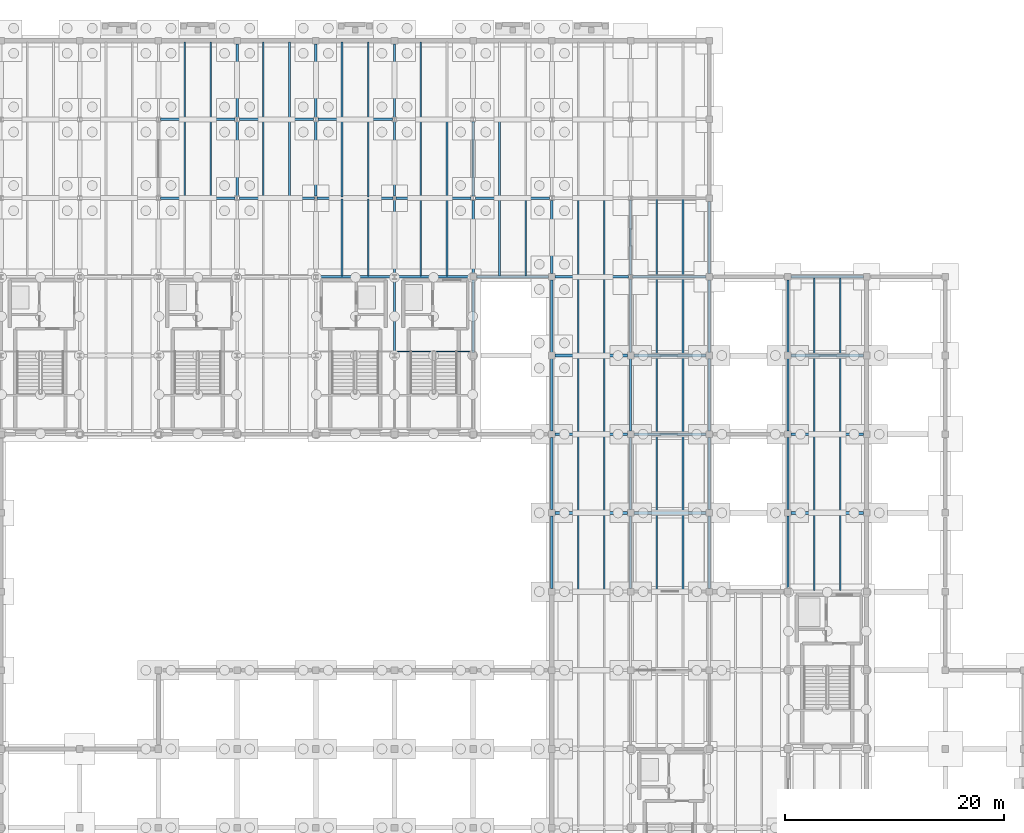
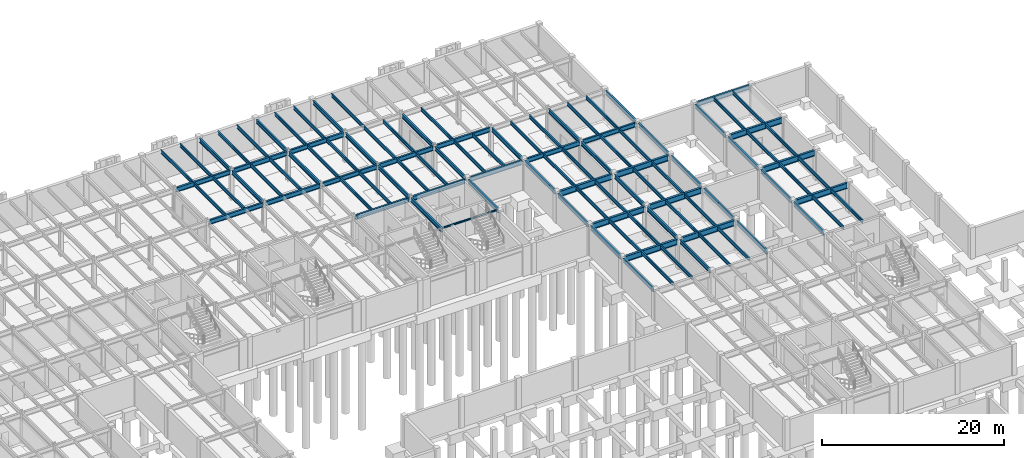
# One storey, part 27 of 46: 104 beams.
"""IFC4 building model written with IfcOpenShell, lengths in metres."""

from ifc_helpers import new_model, si_unit, direction, frame, origin, origin_2d, place, context, subcontext, project, spatial, i_section, extrude, material, material_profile, profile_set, type_object, element, save


model = new_model("IFC4")

# Units and contexts
model_context = context("Model", 3, precision=1e-05, world=origin(), true_north=direction((0.0, 1.0)))
body_context = subcontext(model_context, "Body", "Model", "MODEL_VIEW")
ifc_project = project(units=[si_unit("LENGTHUNIT", "METRE"), si_unit("AREAUNIT", "SQUARE_METRE"), si_unit("VOLUMEUNIT", "CUBIC_METRE"), si_unit("PLANEANGLEUNIT", "RADIAN"), si_unit("MASSUNIT", "GRAM", prefix="KILO")], contexts=[model_context])

# Site, building, storey
site_placement = place(None, origin())
site = spatial("IfcSite", under=ifc_project, at=site_placement, CompositionType="ELEMENT")
building_placement = place(site_placement, origin())
building = spatial("IfcBuilding", under=site, at=building_placement, Name="Sillqori Civic Hall", CompositionType="ELEMENT")
storey_placement = place(building_placement, frame((0.0, 0.0, -4.199951171875)))
storey = spatial("IfcBuildingStorey", under=building, at=storey_placement, Name="B01", CompositionType="ELEMENT", Elevation=-4.199951171875)

# Beams
ifc_material = material(Name="Steel ASTM A992", Category="steel")
ifc_material_profile_1 = material_profile(ifc_material, i_section(OverallWidth=0.2099609375, OverallDepth=0.532958984375, WebThickness=0.01025390625, FlangeThickness=0.015625, FilletRadius=0.013916015625, at=origin_2d()), Name="W21X62")
ifc_profile_set_1 = profile_set([ifc_material_profile_1], Name="Steel ASTM A992")
beam_type_1 = type_object("IfcBeamType", Name="BM-W21X62", PredefinedType="BEAM", material=ifc_profile_set_1)
beam_1_placement = place(storey_placement, frame((72.0, 100.9970703125, 3.71337890625), z_axis=(0.0, 1.0, 0.0), x_axis=(-1.0, 0.0, 0.0)))
element("IfcBeam", 1, at=beam_1_placement, inside=storey, type_object=beam_type_1, Name="B01 girder Y 10-14", PredefinedType="BEAM", context=body_context, shape_type="SweptSolid", body=[
    extrude(i_section(OverallWidth=0.2099609375, OverallDepth=0.532958984375, WebThickness=0.01025390625, FlangeThickness=0.015625, FilletRadius=0.013916015625, at=origin_2d()), origin(), (0.0, 0.0, 1.0), 6.805908203125),
])
beam_2_placement = place(storey_placement, frame((72.0, 108.197021484375, 3.71337890625), z_axis=(0.0, 1.0, 0.0), x_axis=(-1.0, 0.0, 0.0)))
element("IfcBeam", 2, at=beam_2_placement, inside=storey, type_object=beam_type_1, Name="B01 girder Y 10-15", PredefinedType="BEAM", context=body_context, shape_type="SweptSolid", body=[
    extrude(i_section(OverallWidth=0.2099609375, OverallDepth=0.532958984375, WebThickness=0.01025390625, FlangeThickness=0.015625, FilletRadius=0.013916015625, at=origin_2d()), origin(), (0.0, 0.0, 1.0), 6.708984375),
])
beam_3_placement = place(storey_placement, frame((79.199951171875, 100.9755859375, 3.71337890625), z_axis=(0.0, 1.0, 0.0), x_axis=(-1.0, 0.0, 0.0)))
element("IfcBeam", 3, at=beam_3_placement, inside=storey, type_object=beam_type_1, Name="B01 girder Y 11-14", PredefinedType="BEAM", context=body_context, shape_type="SweptSolid", body=[
    extrude(i_section(OverallWidth=0.2099609375, OverallDepth=0.532958984375, WebThickness=0.01025390625, FlangeThickness=0.015625, FilletRadius=0.013916015625, at=origin_2d()), origin(), (0.0, 0.0, 1.0), 6.827392578125),
])
beam_4_placement = place(storey_placement, frame((79.199951171875, 108.197021484375, 3.71337890625), z_axis=(0.0, 1.0, 0.0), x_axis=(-1.0, 0.0, 0.0)))
element("IfcBeam", 4, at=beam_4_placement, inside=storey, type_object=beam_type_1, Name="B01 girder Y 11-15", PredefinedType="BEAM", context=body_context, shape_type="SweptSolid", body=[
    extrude(i_section(OverallWidth=0.2099609375, OverallDepth=0.532958984375, WebThickness=0.01025390625, FlangeThickness=0.015625, FilletRadius=0.013916015625, at=origin_2d()), origin(), (0.0, 0.0, 1.0), 6.708984375),
])
beam_5_placement = place(storey_placement, frame((86.39990234375, 86.596923828125, 3.71337890625), z_axis=(0.0, 1.0, 0.0), x_axis=(-1.0, 0.0, 0.0)))
element("IfcBeam", 5, at=beam_5_placement, inside=storey, type_object=beam_type_1, Name="B01 girder Y 12-12", PredefinedType="BEAM", context=body_context, shape_type="SweptSolid", body=[
    extrude(i_section(OverallWidth=0.2099609375, OverallDepth=0.532958984375, WebThickness=0.01025390625, FlangeThickness=0.015625, FilletRadius=0.013916015625, at=origin_2d()), origin(), (0.0, 0.0, 1.0), 6.80615234375),
])
for number, where, z_axis, x_axis, name in (
    (6, (86.39990234375, 93.797119140625, 3.71337890625), (0.0, 1.0, 0.0), (-1.0, 0.0, 0.0), "B01 girder Y 12-13"),
    (7, (86.39990234375, 100.9755859375, 3.71337890625), (0.0, 1.0, 0.0), (-1.0, 0.0, 0.0), "B01 girder Y 12-14"),
):
    element("IfcBeam", number, at=place(storey_placement, frame(where, z_axis=z_axis, x_axis=x_axis)), inside=storey, type_object=beam_type_1, Name=name, PredefinedType="BEAM", context=body_context, shape_type="SweptSolid", body=[
        extrude(i_section(OverallWidth=0.2099609375, OverallDepth=0.532958984375, WebThickness=0.01025390625, FlangeThickness=0.015625, FilletRadius=0.013916015625, at=origin_2d()), origin(), (0.0, 0.0, 1.0), 6.827392578125),
    ])
beam_6_placement = place(storey_placement, frame((86.39990234375, 108.197021484375, 3.71337890625), z_axis=(0.0, 1.0, 0.0), x_axis=(-1.0, 0.0, 0.0)))
element("IfcBeam", 8, at=beam_6_placement, inside=storey, type_object=beam_type_1, Name="B01 girder Y 12-15", PredefinedType="BEAM", context=body_context, shape_type="SweptSolid", body=[
    extrude(i_section(OverallWidth=0.2099609375, OverallDepth=0.532958984375, WebThickness=0.01025390625, FlangeThickness=0.015625, FilletRadius=0.013916015625, at=origin_2d()), origin(), (0.0, 0.0, 1.0), 6.708984375),
])
beam_7_placement = place(storey_placement, frame((93.60009765625, 86.694091796875, 3.71337890625), z_axis=(0.0, 1.0, 0.0), x_axis=(-1.0, 0.0, 0.0)))
element("IfcBeam", 9, at=beam_7_placement, inside=storey, type_object=beam_type_1, Name="B01 girder Y 13-12", PredefinedType="BEAM", context=body_context, shape_type="SweptSolid", body=[
    extrude(i_section(OverallWidth=0.2099609375, OverallDepth=0.532958984375, WebThickness=0.01025390625, FlangeThickness=0.015625, FilletRadius=0.013916015625, at=origin_2d()), origin(), (0.0, 0.0, 1.0), 6.61181640625),
])
beam_8_placement = place(storey_placement, frame((93.60009765625, 93.89404296875, 3.71337890625), z_axis=(0.0, 1.0, 0.0), x_axis=(-1.0, 0.0, 0.0)))
element("IfcBeam", 10, at=beam_8_placement, inside=storey, type_object=beam_type_1, Name="B01 girder Y 13-13", PredefinedType="BEAM", context=body_context, shape_type="SweptSolid", body=[
    extrude(i_section(OverallWidth=0.2099609375, OverallDepth=0.532958984375, WebThickness=0.01025390625, FlangeThickness=0.015625, FilletRadius=0.013916015625, at=origin_2d()), origin(), (0.0, 0.0, 1.0), 6.708984375),
])
beam_9_placement = place(storey_placement, frame((93.60009765625, 100.9970703125, 3.71337890625), z_axis=(0.0, 1.0, 0.0), x_axis=(-1.0, 0.0, 0.0)))
element("IfcBeam", 11, at=beam_9_placement, inside=storey, type_object=beam_type_1, Name="B01 girder Y 13-14", PredefinedType="BEAM", context=body_context, shape_type="SweptSolid", body=[
    extrude(i_section(OverallWidth=0.2099609375, OverallDepth=0.532958984375, WebThickness=0.01025390625, FlangeThickness=0.015625, FilletRadius=0.013916015625, at=origin_2d()), origin(), (0.0, 0.0, 1.0), 6.805908203125),
])
for number, where, z_axis, x_axis, name in (
    (12, (100.800048828125, 65.093994140625, 3.71337890625), (0.0, 1.0, 0.0), (-1.0, 0.0, 0.0), "B01 girder Y 14-9"),
    (13, (100.800048828125, 72.2939453125, 3.71337890625), (0.0, 1.0, 0.0), (-1.0, 0.0, 0.0), "B01 girder Y 14-10"),
    (14, (100.800048828125, 79.493896484375, 3.71337890625), (0.0, 1.0, 0.0), (-1.0, 0.0, 0.0), "B01 girder Y 14-11"),
):
    element("IfcBeam", number, at=place(storey_placement, frame(where, z_axis=z_axis, x_axis=x_axis)), inside=storey, type_object=beam_type_1, Name=name, PredefinedType="BEAM", context=body_context, shape_type="SweptSolid", body=[
        extrude(i_section(OverallWidth=0.2099609375, OverallDepth=0.532958984375, WebThickness=0.01025390625, FlangeThickness=0.015625, FilletRadius=0.013916015625, at=origin_2d()), origin(), (0.0, 0.0, 1.0), 6.612060546875),
    ])
beam_10_placement = place(storey_placement, frame((100.800048828125, 86.694091796875, 3.71337890625), z_axis=(0.0, 1.0, 0.0), x_axis=(-1.0, 0.0, 0.0)))
element("IfcBeam", 15, at=beam_10_placement, inside=storey, type_object=beam_type_1, Name="B01 girder Y 14-12", PredefinedType="BEAM", context=body_context, shape_type="SweptSolid", body=[
    extrude(i_section(OverallWidth=0.2099609375, OverallDepth=0.532958984375, WebThickness=0.01025390625, FlangeThickness=0.015625, FilletRadius=0.013916015625, at=origin_2d()), origin(), (0.0, 0.0, 1.0), 6.61181640625),
])
beam_11_placement = place(storey_placement, frame((100.800048828125, 93.89404296875, 3.71337890625), z_axis=(0.0, 1.0, 0.0), x_axis=(-1.0, 0.0, 0.0)))
element("IfcBeam", 16, at=beam_11_placement, inside=storey, type_object=beam_type_1, Name="B01 girder Y 14-13", PredefinedType="BEAM", context=body_context, shape_type="SweptSolid", body=[
    extrude(i_section(OverallWidth=0.2099609375, OverallDepth=0.532958984375, WebThickness=0.01025390625, FlangeThickness=0.015625, FilletRadius=0.013916015625, at=origin_2d()), origin(), (0.0, 0.0, 1.0), 6.708984375),
])
for number, where, z_axis, x_axis, name in (
    (17, (108.0, 65.093994140625, 3.71337890625), (0.0, 1.0, 0.0), (-1.0, 0.0, 0.0), "B01 girder Y 15-9"),
    (18, (108.0, 72.2939453125, 3.71337890625), (0.0, 1.0, 0.0), (-1.0, 0.0, 0.0), "B01 girder Y 15-10"),
    (19, (108.0, 79.493896484375, 3.71337890625), (0.0, 1.0, 0.0), (-1.0, 0.0, 0.0), "B01 girder Y 15-11"),
):
    element("IfcBeam", number, at=place(storey_placement, frame(where, z_axis=z_axis, x_axis=x_axis)), inside=storey, type_object=beam_type_1, Name=name, PredefinedType="BEAM", context=body_context, shape_type="SweptSolid", body=[
        extrude(i_section(OverallWidth=0.2099609375, OverallDepth=0.532958984375, WebThickness=0.01025390625, FlangeThickness=0.015625, FilletRadius=0.013916015625, at=origin_2d()), origin(), (0.0, 0.0, 1.0), 6.612060546875),
    ])
beam_12_placement = place(storey_placement, frame((108.0, 86.694091796875, 3.71337890625), z_axis=(0.0, 1.0, 0.0), x_axis=(-1.0, 0.0, 0.0)))
element("IfcBeam", 20, at=beam_12_placement, inside=storey, type_object=beam_type_1, Name="B01 girder Y 15-12", PredefinedType="BEAM", context=body_context, shape_type="SweptSolid", body=[
    extrude(i_section(OverallWidth=0.2099609375, OverallDepth=0.532958984375, WebThickness=0.01025390625, FlangeThickness=0.015625, FilletRadius=0.013916015625, at=origin_2d()), origin(), (0.0, 0.0, 1.0), 6.718994140625),
])
beam_13_placement = place(storey_placement, frame((108.0, 93.787109375, 3.71337890625), z_axis=(0.0, 1.0, 0.0), x_axis=(-1.0, 0.0, 0.0)))
element("IfcBeam", 21, at=beam_13_placement, inside=storey, type_object=beam_type_1, Name="B01 girder Y 15-13", PredefinedType="BEAM", context=body_context, shape_type="SweptSolid", body=[
    extrude(i_section(OverallWidth=0.2099609375, OverallDepth=0.532958984375, WebThickness=0.01025390625, FlangeThickness=0.015625, FilletRadius=0.013916015625, at=origin_2d()), origin(), (0.0, 0.0, 1.0), 6.825927734375),
])
for number, where, z_axis, x_axis, name in (
    (22, (115.199951171875, 65.093994140625, 3.71337890625), (0.0, 1.0, 0.0), (-1.0, 0.0, 0.0), "B01 girder Y 16-9"),
    (23, (115.199951171875, 72.2939453125, 3.71337890625), (0.0, 1.0, 0.0), (-1.0, 0.0, 0.0), "B01 girder Y 16-10"),
    (24, (115.199951171875, 79.493896484375, 3.71337890625), (0.0, 1.0, 0.0), (-1.0, 0.0, 0.0), "B01 girder Y 16-11"),
):
    element("IfcBeam", number, at=place(storey_placement, frame(where, z_axis=z_axis, x_axis=x_axis)), inside=storey, type_object=beam_type_1, Name=name, PredefinedType="BEAM", context=body_context, shape_type="SweptSolid", body=[
        extrude(i_section(OverallWidth=0.2099609375, OverallDepth=0.532958984375, WebThickness=0.01025390625, FlangeThickness=0.015625, FilletRadius=0.013916015625, at=origin_2d()), origin(), (0.0, 0.0, 1.0), 6.612060546875),
    ])
beam_14_placement = place(storey_placement, frame((115.199951171875, 86.694091796875, 3.71337890625), z_axis=(0.0, 1.0, 0.0), x_axis=(-1.0, 0.0, 0.0)))
element("IfcBeam", 25, at=beam_14_placement, inside=storey, type_object=beam_type_1, Name="B01 girder Y 16-12", PredefinedType="BEAM", context=body_context, shape_type="SweptSolid", body=[
    extrude(i_section(OverallWidth=0.2099609375, OverallDepth=0.532958984375, WebThickness=0.01025390625, FlangeThickness=0.015625, FilletRadius=0.013916015625, at=origin_2d()), origin(), (0.0, 0.0, 1.0), 6.61181640625),
])
for number, where, z_axis, x_axis, name in (
    (26, (115.199951171875, 93.89404296875, 3.71337890625), (0.0, 1.0, 0.0), (-1.0, 0.0, 0.0), "B01 girder Y 16-13"),
    (27, (122.39990234375, 65.093994140625, 3.71337890625), (0.0, 1.0, 0.0), (-1.0, 0.0, 0.0), "B01 girder Y 17-9"),
    (28, (122.39990234375, 72.2939453125, 3.71337890625), (0.0, 1.0, 0.0), (-1.0, 0.0, 0.0), "B01 girder Y 17-10"),
    (29, (122.39990234375, 79.493896484375, 3.71337890625), (0.0, 1.0, 0.0), (-1.0, 0.0, 0.0), "B01 girder Y 17-11"),
):
    element("IfcBeam", number, at=place(storey_placement, frame(where, z_axis=z_axis, x_axis=x_axis)), inside=storey, type_object=beam_type_1, Name=name, PredefinedType="BEAM", context=body_context, shape_type="SweptSolid", body=[
        extrude(i_section(OverallWidth=0.2099609375, OverallDepth=0.532958984375, WebThickness=0.01025390625, FlangeThickness=0.015625, FilletRadius=0.013916015625, at=origin_2d()), origin(), (0.0, 0.0, 1.0), 6.612060546875),
    ])
beam_15_placement = place(storey_placement, frame((122.39990234375, 86.694091796875, 3.71337890625), z_axis=(0.0, 1.0, 0.0), x_axis=(-1.0, 0.0, 0.0)))
element("IfcBeam", 30, at=beam_15_placement, inside=storey, type_object=beam_type_1, Name="B01 girder Y 17-12", PredefinedType="BEAM", context=body_context, shape_type="SweptSolid", body=[
    extrude(i_section(OverallWidth=0.2099609375, OverallDepth=0.532958984375, WebThickness=0.01025390625, FlangeThickness=0.015625, FilletRadius=0.013916015625, at=origin_2d()), origin(), (0.0, 0.0, 1.0), 6.61181640625),
])
ifc_material_profile_2 = material_profile(ifc_material, i_section(OverallWidth=0.22802734375, OverallDepth=0.60205078125, WebThickness=0.010498046875, FlangeThickness=0.014892578125, FilletRadius=0.014892578125, at=origin_2d()), Name="W24X68")
ifc_profile_set_2 = profile_set([ifc_material_profile_2], Name="Steel ASTM A992")
beam_type_2 = type_object("IfcBeamType", Name="BM-W24X68", PredefinedType="BEAM", material=ifc_profile_set_2)
for number, where, z_axis, x_axis, name in (
    (31, (64.99609375, 100.800048828125, 3.678955078125), (1.0, 0.0, 0.0), (0.0, 1.0, 0.0), "B01 girder X 9-14"),
    (32, (64.99609375, 108.0, 3.678955078125), (1.0, 0.0, 0.0), (0.0, 1.0, 0.0), "B01 girder X 9-15"),
):
    element("IfcBeam", number, at=place(storey_placement, frame(where, z_axis=z_axis, x_axis=x_axis)), inside=storey, type_object=beam_type_2, Name=name, PredefinedType="BEAM", context=body_context, shape_type="SweptSolid", body=[
        extrude(i_section(OverallWidth=0.22802734375, OverallDepth=0.60205078125, WebThickness=0.010498046875, FlangeThickness=0.014892578125, FilletRadius=0.014892578125, at=origin_2d()), origin(), (0.0, 0.0, 1.0), 6.807861328125),
    ])
beam_16_placement = place(storey_placement, frame((72.196044921875, 100.800048828125, 3.678955078125), z_axis=(1.0, 0.0, 0.0), x_axis=(0.0, 1.0, 0.0)))
element("IfcBeam", 33, at=beam_16_placement, inside=storey, type_object=beam_type_2, Name="B01 girder X 10-14", PredefinedType="BEAM", context=body_context, shape_type="SweptSolid", body=[
    extrude(i_section(OverallWidth=0.22802734375, OverallDepth=0.60205078125, WebThickness=0.010498046875, FlangeThickness=0.014892578125, FilletRadius=0.014892578125, at=origin_2d()), origin(), (0.0, 0.0, 1.0), 6.88134765625),
])
beam_17_placement = place(storey_placement, frame((72.196044921875, 108.0, 3.678955078125), z_axis=(1.0, 0.0, 0.0), x_axis=(0.0, 1.0, 0.0)))
element("IfcBeam", 34, at=beam_17_placement, inside=storey, type_object=beam_type_2, Name="B01 girder X 10-15", PredefinedType="BEAM", context=body_context, shape_type="SweptSolid", body=[
    extrude(i_section(OverallWidth=0.22802734375, OverallDepth=0.60205078125, WebThickness=0.010498046875, FlangeThickness=0.014892578125, FilletRadius=0.014892578125, at=origin_2d()), origin(), (0.0, 0.0, 1.0), 6.807861328125),
])
beam_18_placement = place(storey_placement, frame((79.39599609375, 93.60009765625, 3.678955078125), z_axis=(1.0, 0.0, 0.0), x_axis=(0.0, 1.0, 0.0)))
element("IfcBeam", 35, at=beam_18_placement, inside=storey, type_object=beam_type_2, Name="B01 girder X 11-13", PredefinedType="BEAM", context=body_context, shape_type="SweptSolid", body=[
    extrude(i_section(OverallWidth=0.22802734375, OverallDepth=0.60205078125, WebThickness=0.010498046875, FlangeThickness=0.014892578125, FilletRadius=0.014892578125, at=origin_2d()), origin(), (0.0, 0.0, 1.0), 6.80810546875),
])
beam_19_placement = place(storey_placement, frame((79.322509765625, 100.800048828125, 3.678955078125), z_axis=(1.0, 0.0, 0.0), x_axis=(0.0, 1.0, 0.0)))
element("IfcBeam", 36, at=beam_19_placement, inside=storey, type_object=beam_type_2, Name="B01 girder X 11-14", PredefinedType="BEAM", context=body_context, shape_type="SweptSolid", body=[
    extrude(i_section(OverallWidth=0.22802734375, OverallDepth=0.60205078125, WebThickness=0.010498046875, FlangeThickness=0.014892578125, FilletRadius=0.014892578125, at=origin_2d()), origin(), (0.0, 0.0, 1.0), 6.955078125),
])
beam_20_placement = place(storey_placement, frame((79.39599609375, 108.0, 3.678955078125), z_axis=(1.0, 0.0, 0.0), x_axis=(0.0, 1.0, 0.0)))
element("IfcBeam", 37, at=beam_20_placement, inside=storey, type_object=beam_type_2, Name="B01 girder X 11-15", PredefinedType="BEAM", context=body_context, shape_type="SweptSolid", body=[
    extrude(i_section(OverallWidth=0.22802734375, OverallDepth=0.60205078125, WebThickness=0.010498046875, FlangeThickness=0.014892578125, FilletRadius=0.014892578125, at=origin_2d()), origin(), (0.0, 0.0, 1.0), 6.80810546875),
])
beam_21_placement = place(storey_placement, frame((86.595947265625, 93.60009765625, 3.678955078125), z_axis=(1.0, 0.0, 0.0), x_axis=(0.0, 1.0, 0.0)))
element("IfcBeam", 38, at=beam_21_placement, inside=storey, type_object=beam_type_2, Name="B01 girder X 12-13", PredefinedType="BEAM", context=body_context, shape_type="SweptSolid", body=[
    extrude(i_section(OverallWidth=0.22802734375, OverallDepth=0.60205078125, WebThickness=0.010498046875, FlangeThickness=0.014892578125, FilletRadius=0.014892578125, at=origin_2d()), origin(), (0.0, 0.0, 1.0), 6.7099609375),
])
beam_22_placement = place(storey_placement, frame((86.5224609375, 100.800048828125, 3.678955078125), z_axis=(1.0, 0.0, 0.0), x_axis=(0.0, 1.0, 0.0)))
element("IfcBeam", 39, at=beam_22_placement, inside=storey, type_object=beam_type_2, Name="B01 girder X 12-14", PredefinedType="BEAM", context=body_context, shape_type="SweptSolid", body=[
    extrude(i_section(OverallWidth=0.22802734375, OverallDepth=0.60205078125, WebThickness=0.010498046875, FlangeThickness=0.014892578125, FilletRadius=0.014892578125, at=origin_2d()), origin(), (0.0, 0.0, 1.0), 6.881591796875),
])
beam_23_placement = place(storey_placement, frame((93.89404296875, 93.60009765625, 3.678955078125), z_axis=(1.0, 0.0, 0.0), x_axis=(0.0, 1.0, 0.0)))
element("IfcBeam", 40, at=beam_23_placement, inside=storey, type_object=beam_type_2, Name="B01 girder X 13-13", PredefinedType="BEAM", context=body_context, shape_type="SweptSolid", body=[
    extrude(i_section(OverallWidth=0.22802734375, OverallDepth=0.60205078125, WebThickness=0.010498046875, FlangeThickness=0.014892578125, FilletRadius=0.014892578125, at=origin_2d()), origin(), (0.0, 0.0, 1.0), 6.612060546875),
])
beam_24_placement = place(storey_placement, frame((93.7958984375, 100.800048828125, 3.678955078125), z_axis=(1.0, 0.0, 0.0), x_axis=(0.0, 1.0, 0.0)))
element("IfcBeam", 41, at=beam_24_placement, inside=storey, type_object=beam_type_2, Name="B01 girder X 13-14", PredefinedType="BEAM", context=body_context, shape_type="SweptSolid", body=[
    extrude(i_section(OverallWidth=0.22802734375, OverallDepth=0.60205078125, WebThickness=0.010498046875, FlangeThickness=0.014892578125, FilletRadius=0.014892578125, at=origin_2d()), origin(), (0.0, 0.0, 1.0), 6.80810546875),
])
for number, where, z_axis, x_axis, name in (
    (42, (101.093994140625, 93.60009765625, 3.678955078125), (1.0, 0.0, 0.0), (0.0, 1.0, 0.0), "B01 girder X 14-13"),
    (43, (108.193603515625, 93.60009765625, 3.678955078125), (1.0, 0.0, 0.0), (0.0, 1.0, 0.0), "B01 girder X 15-13"),
):
    element("IfcBeam", number, at=place(storey_placement, frame(where, z_axis=z_axis, x_axis=x_axis)), inside=storey, type_object=beam_type_2, Name=name, PredefinedType="BEAM", context=body_context, shape_type="SweptSolid", body=[
        extrude(i_section(OverallWidth=0.22802734375, OverallDepth=0.60205078125, WebThickness=0.010498046875, FlangeThickness=0.014892578125, FilletRadius=0.014892578125, at=origin_2d()), origin(), (0.0, 0.0, 1.0), 6.71240234375),
    ])
beam_25_placement = place(storey_placement, frame((122.694091796875, 93.60009765625, 3.678955078125), z_axis=(1.0, 0.0, 0.0), x_axis=(0.0, 1.0, 0.0)))
element("IfcBeam", 44, at=beam_25_placement, inside=storey, type_object=beam_type_2, Name="B01 girder X 17-13", PredefinedType="BEAM", context=body_context, shape_type="SweptSolid", body=[
    extrude(i_section(OverallWidth=0.22802734375, OverallDepth=0.60205078125, WebThickness=0.010498046875, FlangeThickness=0.014892578125, FilletRadius=0.014892578125, at=origin_2d()), origin(), (0.0, 0.0, 1.0), 6.61181640625),
])
ifc_material_profile_3 = material_profile(ifc_material, i_section(OverallWidth=0.26708984375, OverallDepth=0.761962890625, WebThickness=0.014404296875, FlangeThickness=0.021484375, FilletRadius=0.01708984375, at=origin_2d()), Name="W30X116")
ifc_profile_set_3 = profile_set([ifc_material_profile_3], Name="Steel ASTM A992")
beam_type_3 = type_object("IfcBeamType", Name="BM-W30X116", PredefinedType="BEAM", material=ifc_profile_set_3)
for number, where, z_axis, x_axis, name in (
    (45, (101.093994140625, 72.0, 3.598876953125), (1.0, 0.0, 0.0), (0.0, 1.0, 0.0), "B01 girder X 14-10"),
    (46, (101.093994140625, 79.199951171875, 3.598876953125), (1.0, 0.0, 0.0), (0.0, 1.0, 0.0), "B01 girder X 14-11"),
    (47, (101.093994140625, 86.39990234375, 3.598876953125), (1.0, 0.0, 0.0), (0.0, 1.0, 0.0), "B01 girder X 14-12"),
    (48, (108.2939453125, 72.0, 3.598876953125), (1.0, 0.0, 0.0), (0.0, 1.0, 0.0), "B01 girder X 15-10"),
    (49, (108.2939453125, 79.199951171875, 3.598876953125), (1.0, 0.0, 0.0), (0.0, 1.0, 0.0), "B01 girder X 15-11"),
    (50, (108.2939453125, 86.39990234375, 3.598876953125), (1.0, 0.0, 0.0), (0.0, 1.0, 0.0), "B01 girder X 15-12"),
):
    element("IfcBeam", number, at=place(storey_placement, frame(where, z_axis=z_axis, x_axis=x_axis)), inside=storey, type_object=beam_type_3, Name=name, PredefinedType="BEAM", context=body_context, shape_type="SweptSolid", body=[
        extrude(i_section(OverallWidth=0.26708984375, OverallDepth=0.761962890625, WebThickness=0.014404296875, FlangeThickness=0.021484375, FilletRadius=0.01708984375, at=origin_2d()), origin(), (0.0, 0.0, 1.0), 6.612060546875),
    ])
for number, where, z_axis, x_axis, name in (
    (51, (122.694091796875, 72.0, 3.598876953125), (1.0, 0.0, 0.0), (0.0, 1.0, 0.0), "B01 girder X 17-10"),
    (52, (122.694091796875, 79.199951171875, 3.598876953125), (1.0, 0.0, 0.0), (0.0, 1.0, 0.0), "B01 girder X 17-11"),
    (53, (122.694091796875, 86.39990234375, 3.598876953125), (1.0, 0.0, 0.0), (0.0, 1.0, 0.0), "B01 girder X 17-12"),
):
    element("IfcBeam", number, at=place(storey_placement, frame(where, z_axis=z_axis, x_axis=x_axis)), inside=storey, type_object=beam_type_3, Name=name, PredefinedType="BEAM", context=body_context, shape_type="SweptSolid", body=[
        extrude(i_section(OverallWidth=0.26708984375, OverallDepth=0.761962890625, WebThickness=0.014404296875, FlangeThickness=0.021484375, FilletRadius=0.01708984375, at=origin_2d()), origin(), (0.0, 0.0, 1.0), 6.61181640625),
    ])
ifc_material_profile_4 = material_profile(ifc_material, i_section(OverallWidth=0.153076171875, OverallDepth=0.455078125, WebThickness=0.008056640625, FlangeThickness=0.01318359375, FilletRadius=0.012939453125, at=origin_2d()), Name="W18X40")
ifc_profile_set_4 = profile_set([ifc_material_profile_4], Name="Steel ASTM A992")
beam_type_4 = type_object("IfcBeamType", Name="JS-W18X40", PredefinedType="JOIST", material=ifc_profile_set_4)
for number, where, z_axis, x_axis, name in (
    (54, (67.199951171875, 100.89501953125, 3.75244140625), (0.0, 1.0, 0.0), (-1.0, 0.0, 0.0), "B01 composite joist 9-14.1"),
    (55, (69.60009765625, 100.89501953125, 3.75244140625), (0.0, 1.0, 0.0), (-1.0, 0.0, 0.0), "B01 composite joist 9-14.2"),
    (56, (67.199951171875, 108.094970703125, 3.75244140625), (0.0, 1.0, 0.0), (-1.0, 0.0, 0.0), "B01 composite joist 9-15.1"),
    (57, (69.60009765625, 108.094970703125, 3.75244140625), (0.0, 1.0, 0.0), (-1.0, 0.0, 0.0), "B01 composite joist 9-15.2"),
    (58, (74.39990234375, 100.89501953125, 3.75244140625), (0.0, 1.0, 0.0), (-1.0, 0.0, 0.0), "B01 composite joist 10-14.1"),
    (59, (76.800048828125, 100.89501953125, 3.75244140625), (0.0, 1.0, 0.0), (-1.0, 0.0, 0.0), "B01 composite joist 10-14.2"),
    (60, (74.39990234375, 108.094970703125, 3.75244140625), (0.0, 1.0, 0.0), (-1.0, 0.0, 0.0), "B01 composite joist 10-15.1"),
    (61, (76.800048828125, 108.094970703125, 3.75244140625), (0.0, 1.0, 0.0), (-1.0, 0.0, 0.0), "B01 composite joist 10-15.2"),
    (62, (81.60009765625, 93.695068359375, 3.75244140625), (0.0, 1.0, 0.0), (-1.0, 0.0, 0.0), "B01 composite joist 11-13.1"),
    (63, (84.0, 93.695068359375, 3.75244140625), (0.0, 1.0, 0.0), (-1.0, 0.0, 0.0), "B01 composite joist 11-13.2"),
    (64, (81.60009765625, 100.89501953125, 3.75244140625), (0.0, 1.0, 0.0), (-1.0, 0.0, 0.0), "B01 composite joist 11-14.1"),
    (65, (84.0, 100.89501953125, 3.75244140625), (0.0, 1.0, 0.0), (-1.0, 0.0, 0.0), "B01 composite joist 11-14.2"),
    (66, (81.60009765625, 108.094970703125, 3.75244140625), (0.0, 1.0, 0.0), (-1.0, 0.0, 0.0), "B01 composite joist 11-15.1"),
    (67, (84.0, 108.094970703125, 3.75244140625), (0.0, 1.0, 0.0), (-1.0, 0.0, 0.0), "B01 composite joist 11-15.2"),
    (68, (88.800048828125, 93.695068359375, 3.75244140625), (0.0, 1.0, 0.0), (-1.0, 0.0, 0.0), "B01 composite joist 12-13.1"),
    (69, (91.199951171875, 93.695068359375, 3.75244140625), (0.0, 1.0, 0.0), (-1.0, 0.0, 0.0), "B01 composite joist 12-13.2"),
    (70, (88.800048828125, 100.89501953125, 3.75244140625), (0.0, 1.0, 0.0), (-1.0, 0.0, 0.0), "B01 composite joist 12-14.1"),
    (71, (91.199951171875, 100.89501953125, 3.75244140625), (0.0, 1.0, 0.0), (-1.0, 0.0, 0.0), "B01 composite joist 12-14.2"),
    (72, (88.800048828125, 108.094970703125, 3.75244140625), (0.0, 1.0, 0.0), (-1.0, 0.0, 0.0), "B01 composite joist 12-15.1"),
    (73, (96.0, 93.695068359375, 3.75244140625), (0.0, 1.0, 0.0), (-1.0, 0.0, 0.0), "B01 composite joist 13-13.1"),
    (74, (98.39990234375, 93.695068359375, 3.75244140625), (0.0, 1.0, 0.0), (-1.0, 0.0, 0.0), "B01 composite joist 13-13.2"),
    (75, (96.0, 100.89501953125, 3.75244140625), (0.0, 1.0, 0.0), (-1.0, 0.0, 0.0), "B01 composite joist 13-14.1"),
    (76, (103.199951171875, 64.89501953125, 3.75244140625), (0.0, 1.0, 0.0), (-1.0, 0.0, 0.0), "B01 composite joist 14-9.1"),
    (77, (105.60009765625, 64.89501953125, 3.75244140625), (0.0, 1.0, 0.0), (-1.0, 0.0, 0.0), "B01 composite joist 14-9.2"),
    (78, (103.199951171875, 72.094970703125, 3.75244140625), (0.0, 1.0, 0.0), (-1.0, 0.0, 0.0), "B01 composite joist 14-10.1"),
    (79, (105.60009765625, 72.094970703125, 3.75244140625), (0.0, 1.0, 0.0), (-1.0, 0.0, 0.0), "B01 composite joist 14-10.2"),
    (80, (103.199951171875, 79.294921875, 3.75244140625), (0.0, 1.0, 0.0), (-1.0, 0.0, 0.0), "B01 composite joist 14-11.1"),
    (81, (105.60009765625, 79.294921875, 3.75244140625), (0.0, 1.0, 0.0), (-1.0, 0.0, 0.0), "B01 composite joist 14-11.2"),
):
    element("IfcBeam", number, at=place(storey_placement, frame(where, z_axis=z_axis, x_axis=x_axis)), inside=storey, type_object=beam_type_4, Name=name, PredefinedType="JOIST", context=body_context, shape_type="SweptSolid", body=[
        extrude(i_section(OverallWidth=0.153076171875, OverallDepth=0.455078125, WebThickness=0.008056640625, FlangeThickness=0.01318359375, FilletRadius=0.012939453125, at=origin_2d()), origin(), (0.0, 0.0, 1.0), 7.010009765625),
    ])
for number, where, z_axis, x_axis, name in (
    (82, (103.199951171875, 86.4951171875, 3.75244140625), (0.0, 1.0, 0.0), (-1.0, 0.0, 0.0), "B01 composite joist 14-12.1"),
    (83, (105.60009765625, 86.4951171875, 3.75244140625), (0.0, 1.0, 0.0), (-1.0, 0.0, 0.0), "B01 composite joist 14-12.2"),
):
    element("IfcBeam", number, at=place(storey_placement, frame(where, z_axis=z_axis, x_axis=x_axis)), inside=storey, type_object=beam_type_4, Name=name, PredefinedType="JOIST", context=body_context, shape_type="SweptSolid", body=[
        extrude(i_section(OverallWidth=0.153076171875, OverallDepth=0.455078125, WebThickness=0.008056640625, FlangeThickness=0.01318359375, FilletRadius=0.012939453125, at=origin_2d()), origin(), (0.0, 0.0, 1.0), 7.009765625),
    ])
for number, where, z_axis, x_axis, name in (
    (84, (103.199951171875, 93.695068359375, 3.75244140625), (0.0, 1.0, 0.0), (-1.0, 0.0, 0.0), "B01 composite joist 14-13.1"),
    (85, (105.60009765625, 93.695068359375, 3.75244140625), (0.0, 1.0, 0.0), (-1.0, 0.0, 0.0), "B01 composite joist 14-13.2"),
    (86, (110.39990234375, 64.89501953125, 3.75244140625), (0.0, 1.0, 0.0), (-1.0, 0.0, 0.0), "B01 composite joist 15-9.1"),
    (87, (112.800048828125, 64.89501953125, 3.75244140625), (0.0, 1.0, 0.0), (-1.0, 0.0, 0.0), "B01 composite joist 15-9.2"),
    (88, (110.39990234375, 72.094970703125, 3.75244140625), (0.0, 1.0, 0.0), (-1.0, 0.0, 0.0), "B01 composite joist 15-10.1"),
    (89, (112.800048828125, 72.094970703125, 3.75244140625), (0.0, 1.0, 0.0), (-1.0, 0.0, 0.0), "B01 composite joist 15-10.2"),
    (90, (110.39990234375, 79.294921875, 3.75244140625), (0.0, 1.0, 0.0), (-1.0, 0.0, 0.0), "B01 composite joist 15-11.1"),
    (91, (112.800048828125, 79.294921875, 3.75244140625), (0.0, 1.0, 0.0), (-1.0, 0.0, 0.0), "B01 composite joist 15-11.2"),
):
    element("IfcBeam", number, at=place(storey_placement, frame(where, z_axis=z_axis, x_axis=x_axis)), inside=storey, type_object=beam_type_4, Name=name, PredefinedType="JOIST", context=body_context, shape_type="SweptSolid", body=[
        extrude(i_section(OverallWidth=0.153076171875, OverallDepth=0.455078125, WebThickness=0.008056640625, FlangeThickness=0.01318359375, FilletRadius=0.012939453125, at=origin_2d()), origin(), (0.0, 0.0, 1.0), 7.010009765625),
    ])
for number, where, z_axis, x_axis, name in (
    (92, (110.39990234375, 86.4951171875, 3.75244140625), (0.0, 1.0, 0.0), (-1.0, 0.0, 0.0), "B01 composite joist 15-12.1"),
    (93, (112.800048828125, 86.4951171875, 3.75244140625), (0.0, 1.0, 0.0), (-1.0, 0.0, 0.0), "B01 composite joist 15-12.2"),
):
    element("IfcBeam", number, at=place(storey_placement, frame(where, z_axis=z_axis, x_axis=x_axis)), inside=storey, type_object=beam_type_4, Name=name, PredefinedType="JOIST", context=body_context, shape_type="SweptSolid", body=[
        extrude(i_section(OverallWidth=0.153076171875, OverallDepth=0.455078125, WebThickness=0.008056640625, FlangeThickness=0.01318359375, FilletRadius=0.012939453125, at=origin_2d()), origin(), (0.0, 0.0, 1.0), 7.009765625),
    ])
for number, where, z_axis, x_axis, name in (
    (94, (110.39990234375, 93.695068359375, 3.75244140625), (0.0, 1.0, 0.0), (-1.0, 0.0, 0.0), "B01 composite joist 15-13.1"),
    (95, (112.800048828125, 93.695068359375, 3.75244140625), (0.0, 1.0, 0.0), (-1.0, 0.0, 0.0), "B01 composite joist 15-13.2"),
    (96, (124.800048828125, 64.89501953125, 3.75244140625), (0.0, 1.0, 0.0), (-1.0, 0.0, 0.0), "B01 composite joist 17-9.1"),
    (97, (127.199951171875, 64.89501953125, 3.75244140625), (0.0, 1.0, 0.0), (-1.0, 0.0, 0.0), "B01 composite joist 17-9.2"),
    (98, (124.800048828125, 72.094970703125, 3.75244140625), (0.0, 1.0, 0.0), (-1.0, 0.0, 0.0), "B01 composite joist 17-10.1"),
    (99, (127.199951171875, 72.094970703125, 3.75244140625), (0.0, 1.0, 0.0), (-1.0, 0.0, 0.0), "B01 composite joist 17-10.2"),
    (100, (124.800048828125, 79.294921875, 3.75244140625), (0.0, 1.0, 0.0), (-1.0, 0.0, 0.0), "B01 composite joist 17-11.1"),
    (101, (127.199951171875, 79.294921875, 3.75244140625), (0.0, 1.0, 0.0), (-1.0, 0.0, 0.0), "B01 composite joist 17-11.2"),
):
    element("IfcBeam", number, at=place(storey_placement, frame(where, z_axis=z_axis, x_axis=x_axis)), inside=storey, type_object=beam_type_4, Name=name, PredefinedType="JOIST", context=body_context, shape_type="SweptSolid", body=[
        extrude(i_section(OverallWidth=0.153076171875, OverallDepth=0.455078125, WebThickness=0.008056640625, FlangeThickness=0.01318359375, FilletRadius=0.012939453125, at=origin_2d()), origin(), (0.0, 0.0, 1.0), 7.010009765625),
    ])
for number, where, z_axis, x_axis, name in (
    (102, (124.800048828125, 86.4951171875, 3.75244140625), (0.0, 1.0, 0.0), (-1.0, 0.0, 0.0), "B01 composite joist 17-12.1"),
    (103, (127.199951171875, 86.4951171875, 3.75244140625), (0.0, 1.0, 0.0), (-1.0, 0.0, 0.0), "B01 composite joist 17-12.2"),
):
    element("IfcBeam", number, at=place(storey_placement, frame(where, z_axis=z_axis, x_axis=x_axis)), inside=storey, type_object=beam_type_4, Name=name, PredefinedType="JOIST", context=body_context, shape_type="SweptSolid", body=[
        extrude(i_section(OverallWidth=0.153076171875, OverallDepth=0.455078125, WebThickness=0.008056640625, FlangeThickness=0.01318359375, FilletRadius=0.012939453125, at=origin_2d()), origin(), (0.0, 0.0, 1.0), 7.009765625),
    ])
ifc_material_profile_5 = material_profile(ifc_material, i_section(OverallWidth=0.133056640625, OverallDepth=0.20703125, WebThickness=0.005859375, FlangeThickness=0.00830078125, FilletRadius=0.008056640625, at=origin_2d()), Name="W8X18")
ifc_profile_set_5 = profile_set([ifc_material_profile_5], Name="Steel ASTM A992")
beam_type_5 = type_object("IfcBeamType", Name="LN-W8X18", PredefinedType="LINTEL", material=ifc_profile_set_5)
beam_26_placement = place(storey_placement, frame((86.449951171875, 86.77001953125, 3.882568359375), z_axis=(1.0, 0.0, 0.0), x_axis=(0.0, 1.0, 0.0)))
element("IfcBeam", 104, at=beam_26_placement, inside=storey, type_object=beam_type_5, Name="B01 C8 stair upper arrival steel trimmer", PredefinedType="LINTEL", context=body_context, shape_type="SweptSolid", body=[
    extrude(i_section(OverallWidth=0.133056640625, OverallDepth=0.20703125, WebThickness=0.005859375, FlangeThickness=0.00830078125, FilletRadius=0.008056640625, at=origin_2d()), origin(), (0.0, 0.0, 1.0), 7.10009765625),
])

save(model, "model.ifc")
